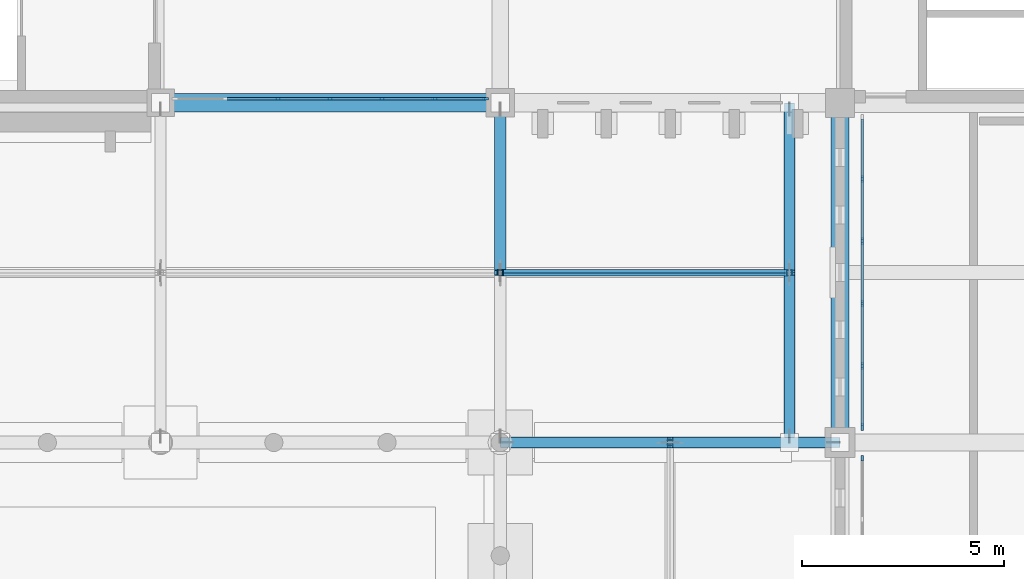
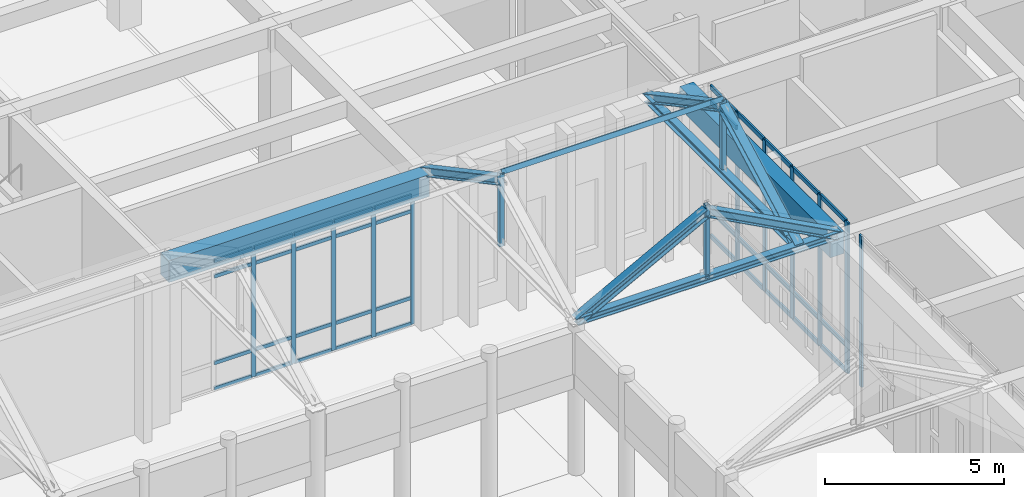
# One storey, part 65 of 143: 62 members, 2 beams, 3 elements without a shape of their own.
"""IFC4 building model written with IfcOpenShell, lengths in metres."""

from ifc_helpers import new_model, si_unit, direction, frame, origin, origin_2d, place, context, subcontext, project, spatial, rectangle, hollow_rectangle, i_section, extrude, material, layer, layer_set, material_profile, profile_set, type_object, element, aggregate, save


model = new_model("IFC4")

# Units and contexts
model_context = context("Model", 3, precision=1e-05, world=origin(), true_north=direction((0.0, 1.0)))
body_context = subcontext(model_context, "Body", "Model", "MODEL_VIEW")
ifc_project = project(units=[si_unit("LENGTHUNIT", "METRE"), si_unit("AREAUNIT", "SQUARE_METRE"), si_unit("VOLUMEUNIT", "CUBIC_METRE"), si_unit("PLANEANGLEUNIT", "RADIAN"), si_unit("MASSUNIT", "GRAM", prefix="KILO")], contexts=[model_context])

# Site, building, storey
site_placement = place(None, origin())
site = spatial("IfcSite", under=ifc_project, at=site_placement, CompositionType="ELEMENT")
building_placement = place(site_placement, origin())
building = spatial("IfcBuilding", under=site, at=building_placement, Name="Kveldsbrygga Polytechnic", CompositionType="ELEMENT")
storey_placement = place(building_placement, origin())
storey = spatial("IfcBuildingStorey", under=building, at=storey_placement, Name="L00", CompositionType="ELEMENT", Elevation=0.0)

# Beams
ifc_material_1 = material(Name="Concrete C35/45", Category="concrete")
ifc_material_profile_1 = material_profile(ifc_material_1, rectangle(XDim=0.449951171875, YDim=0.75, at=origin_2d()), Name="RC 450x750")
ifc_profile_set_1 = profile_set([ifc_material_profile_1], Name="Concrete C35/45")
beam_type_1 = type_object("IfcBeamType", Name="BM-RC-450x750", PredefinedType="BEAM", material=ifc_profile_set_1)
beam_1_placement = place(storey_placement, frame((126.0, 75.60009765625, 4.764892578125), z_axis=(0.0, 1.0, 0.0), x_axis=(-1.0, 0.0, 0.0)))
element("IfcBeam", 1, at=beam_1_placement, inside=storey, type_object=beam_type_1, Name="Primary Beam BMY-L00-15-09to10", PredefinedType="BEAM", context=body_context, shape_type="SweptSolid", body=[
    extrude(rectangle(XDim=0.449951171875, YDim=0.75, at=origin_2d()), origin(), (0.0, 0.0, 1.0), 8.39990234375),
])
ifc_material_profile_2 = material_profile(ifc_material_1, rectangle(XDim=0.4599609375, YDim=0.739990234375, at=origin_2d()), Name="RC 460x740")
ifc_profile_set_2 = profile_set([ifc_material_profile_2], Name="Concrete C35/45")
beam_type_2 = type_object("IfcBeamType", Name="BM-RC-460x740", PredefinedType="BEAM", material=ifc_profile_set_2)
beam_2_placement = place(storey_placement, frame((109.199951171875, 84.0, 4.77001953125), z_axis=(1.0, 0.0, 0.0), x_axis=(0.0, 1.0, 0.0)))
element("IfcBeam", 2, at=beam_2_placement, inside=storey, type_object=beam_type_2, Name="Primary Beam BMX-L00-13to14-10", PredefinedType="BEAM", context=body_context, shape_type="SweptSolid", body=[
    extrude(rectangle(XDim=0.4599609375, YDim=0.739990234375, at=origin_2d()), origin(), (0.0, 0.0, 1.0), 8.400146484375),
])

# Curtain wall, members
ifc_material_2 = material(Name="Anodised aluminium AW-6060", Category="aluminium")
ifc_layer_1 = layer(ifc_material_2, 0.179931640625)
ifc_layer_set_1 = layer_set([ifc_layer_1], Name="Anodised aluminium AW-6060")
curtain_wall_type_1 = type_object("IfcCurtainWallType", Name="CW-CONC-A", PredefinedType="USERDEFINED", material=ifc_layer_set_1)
curtain_wall_1_placement = place(storey_placement, origin())
curtain_wall_1 = element("IfcCurtainWall", 3, at=curtain_wall_1_placement, inside=storey, type_object=curtain_wall_type_1, Name="Curtain Wall CW-L00-X-13-10", ObjectType="UNITISED CURTAIN WALL", PredefinedType="USERDEFINED")
ifc_material_profile_3 = material_profile(ifc_material_2, rectangle(XDim=0.06005859375, YDim=0.139892578125, at=origin_2d()), Name="ALU 60x140")
ifc_profile_set_3 = profile_set([ifc_material_profile_3], Name="Anodised aluminium AW-6060")
member_type_1 = type_object("IfcMemberType", Name="CW-MUL-140", PredefinedType="MULLION", material=ifc_profile_set_3)
member_1_placement = place(storey_placement, frame((112.10498046875, 84.10009765625, 0.0), z_axis=(0.0, 0.0, 1.0), x_axis=(0.0, 1.0, 0.0)))
member_1 = element("IfcMember", 4, at=member_1_placement, type_object=member_type_1, Name="CW-01 mullion 3", PredefinedType="MULLION", context=body_context, shape_type="SweptSolid", body=[
    extrude(rectangle(XDim=0.06005859375, YDim=0.139892578125, at=origin_2d()), origin(), (0.0, 0.0, 1.0), 4.39990234375),
])
member_2_placement = place(storey_placement, frame((113.39501953125, 84.10009765625, 0.0), z_axis=(0.0, 0.0, 1.0), x_axis=(0.0, 1.0, 0.0)))
member_2 = element("IfcMember", 5, at=member_2_placement, type_object=member_type_1, Name="CW-01 mullion 4", PredefinedType="MULLION", context=body_context, shape_type="SweptSolid", body=[
    extrude(rectangle(XDim=0.06005859375, YDim=0.139892578125, at=origin_2d()), origin(), (0.0, 0.0, 1.0), 4.39990234375),
])
member_3_placement = place(storey_placement, frame((114.68505859375, 84.10009765625, 0.0), z_axis=(0.0, 0.0, 1.0), x_axis=(0.0, 1.0, 0.0)))
member_3 = element("IfcMember", 6, at=member_3_placement, type_object=member_type_1, Name="CW-01 mullion 5", PredefinedType="MULLION", context=body_context, shape_type="SweptSolid", body=[
    extrude(rectangle(XDim=0.06005859375, YDim=0.139892578125, at=origin_2d()), origin(), (0.0, 0.0, 1.0), 4.39990234375),
])
member_4_placement = place(storey_placement, frame((115.97509765625, 84.10009765625, 0.0), z_axis=(0.0, 0.0, 1.0), x_axis=(0.0, 1.0, 0.0)))
member_4 = element("IfcMember", 7, at=member_4_placement, type_object=member_type_1, Name="CW-01 mullion 6", PredefinedType="MULLION", context=body_context, shape_type="SweptSolid", body=[
    extrude(rectangle(XDim=0.06005859375, YDim=0.139892578125, at=origin_2d()), origin(), (0.0, 0.0, 1.0), 4.39990234375),
])
member_5_placement = place(storey_placement, frame((117.235107421875, 84.10009765625, 0.0), z_axis=(0.0, 0.0, 1.0), x_axis=(0.0, 1.0, 0.0)))
member_5 = element("IfcMember", 8, at=member_5_placement, type_object=member_type_1, Name="CW-01 mullion 7", PredefinedType="MULLION", context=body_context, shape_type="SweptSolid", body=[
    extrude(rectangle(XDim=0.06005859375, YDim=0.139892578125, at=origin_2d()), origin(), (0.0, 0.0, 1.0), 4.39990234375),
])

# Curtain wall, member
curtain_wall_2_placement = place(storey_placement, origin())
curtain_wall_2 = element("IfcCurtainWall", 9, at=curtain_wall_2_placement, inside=storey, type_object=curtain_wall_type_1, Name="Curtain Wall CW-L00-Y-15-08", ObjectType="UNITISED CURTAIN WALL", PredefinedType="USERDEFINED")
member_6_placement = place(storey_placement, frame((126.550048828125, 75.2099609375, 0.0), z_axis=(0.0, 0.0, 1.0), x_axis=(-1.0, 0.0, 0.0)))
member_6 = element("IfcMember", 10, at=member_6_placement, type_object=member_type_1, Name="CW-01 mullion 6", PredefinedType="MULLION", context=body_context, shape_type="SweptSolid", body=[
    extrude(rectangle(XDim=0.06005859375, YDim=0.139892578125, at=origin_2d()), origin(), (0.0, 0.0, 1.0), 5.139892578125),
])
aggregate(curtain_wall_2, [member_6])

# Curtain wall, members
ifc_layer_2 = layer(ifc_material_2, 0.199951171875)
ifc_layer_set_2 = layer_set([ifc_layer_2], Name="Anodised aluminium AW-6060")
curtain_wall_type_2 = type_object("IfcCurtainWallType", Name="CW-CONC-B", PredefinedType="USERDEFINED", material=ifc_layer_set_2)
curtain_wall_3_placement = place(storey_placement, origin())
curtain_wall_3 = element("IfcCurtainWall", 11, at=curtain_wall_3_placement, inside=storey, type_object=curtain_wall_type_2, Name="Curtain Wall CW-L00-Y-15-09", ObjectType="UNITISED CURTAIN WALL", PredefinedType="USERDEFINED")
ifc_material_profile_4 = material_profile(ifc_material_2, rectangle(XDim=0.06005859375, YDim=0.179931640625, at=origin_2d()), Name="ALU 60x180")
ifc_profile_set_4 = profile_set([ifc_material_profile_4], Name="Anodised aluminium AW-6060")
member_type_2 = type_object("IfcMemberType", Name="CW-MUL-180", PredefinedType="MULLION", material=ifc_profile_set_4)
member_7_placement = place(storey_placement, frame((126.550048828125, 75.989990234375, 0.0), z_axis=(0.0, 0.0, 1.0), x_axis=(-1.0, 0.0, 0.0)))
member_7 = element("IfcMember", 12, at=member_7_placement, type_object=member_type_2, Name="CW-02 mullion 1", PredefinedType="MULLION", context=body_context, shape_type="SweptSolid", body=[
    extrude(rectangle(XDim=0.06005859375, YDim=0.179931640625, at=origin_2d()), origin(), (0.0, 0.0, 1.0), 5.139892578125),
])
member_8_placement = place(storey_placement, frame((126.550048828125, 77.4990234375, 0.0), z_axis=(0.0, 0.0, 1.0), x_axis=(-1.0, 0.0, 0.0)))
member_8 = element("IfcMember", 13, at=member_8_placement, type_object=member_type_2, Name="CW-02 mullion 2", PredefinedType="MULLION", context=body_context, shape_type="SweptSolid", body=[
    extrude(rectangle(XDim=0.06005859375, YDim=0.179931640625, at=origin_2d()), origin(), (0.0, 0.0, 1.0), 5.139892578125),
])
member_9_placement = place(storey_placement, frame((126.550048828125, 79.0380859375, 0.0), z_axis=(0.0, 0.0, 1.0), x_axis=(-1.0, 0.0, 0.0)))
member_9 = element("IfcMember", 14, at=member_9_placement, type_object=member_type_2, Name="CW-02 mullion 3", PredefinedType="MULLION", context=body_context, shape_type="SweptSolid", body=[
    extrude(rectangle(XDim=0.06005859375, YDim=0.179931640625, at=origin_2d()), origin(), (0.0, 0.0, 1.0), 5.139892578125),
])
member_10_placement = place(storey_placement, frame((126.550048828125, 80.576904296875, 0.0), z_axis=(0.0, 0.0, 1.0), x_axis=(-1.0, 0.0, 0.0)))
member_10 = element("IfcMember", 15, at=member_10_placement, type_object=member_type_2, Name="CW-02 mullion 4", PredefinedType="MULLION", context=body_context, shape_type="SweptSolid", body=[
    extrude(rectangle(XDim=0.06005859375, YDim=0.179931640625, at=origin_2d()), origin(), (0.0, 0.0, 1.0), 5.139892578125),
])
member_11_placement = place(storey_placement, frame((126.550048828125, 82.115966796875, 0.0), z_axis=(0.0, 0.0, 1.0), x_axis=(-1.0, 0.0, 0.0)))
member_11 = element("IfcMember", 16, at=member_11_placement, type_object=member_type_2, Name="CW-02 mullion 5", PredefinedType="MULLION", context=body_context, shape_type="SweptSolid", body=[
    extrude(rectangle(XDim=0.06005859375, YDim=0.179931640625, at=origin_2d()), origin(), (0.0, 0.0, 1.0), 5.139892578125),
])

# Member
ifc_material_profile_5 = material_profile(ifc_material_2, rectangle(XDim=0.06005859375, YDim=0.1201171875, at=origin_2d()), Name="ALU 60x120")
ifc_profile_set_5 = profile_set([ifc_material_profile_5], Name="Anodised aluminium AW-6060")
member_type_3 = type_object("IfcMemberType", Name="CW-TRN-120", PredefinedType="USERDEFINED", material=ifc_profile_set_5)
member_12_placement = place(storey_placement, frame((110.844970703125, 84.10009765625, 0.030029296875), z_axis=(1.0, 0.0, 0.0), x_axis=(0.0, 1.0, 0.0)))
member_12 = element("IfcMember", 17, at=member_12_placement, type_object=member_type_3, Name="CW-01 transom 2.1", ObjectType="TRANSOM", PredefinedType="USERDEFINED", context=body_context, shape_type="SweptSolid", body=[
    extrude(rectangle(XDim=0.06005859375, YDim=0.1201171875, at=origin_2d()), origin(), (0.0, 0.0, 1.0), 1.22998046875),
])

member_13_placement = place(storey_placement, frame((110.844970703125, 84.10009765625, 0.89990234375), z_axis=(1.0, 0.0, 0.0), x_axis=(0.0, 1.0, 0.0)))
member_13 = element("IfcMember", 18, at=member_13_placement, type_object=member_type_3, Name="CW-01 transom 2.2", ObjectType="TRANSOM", PredefinedType="USERDEFINED", context=body_context, shape_type="SweptSolid", body=[
    extrude(rectangle(XDim=0.06005859375, YDim=0.1201171875, at=origin_2d()), origin(), (0.0, 0.0, 1.0), 1.22998046875),
])

member_14_placement = place(storey_placement, frame((110.844970703125, 84.10009765625, 3.85009765625), z_axis=(1.0, 0.0, 0.0), x_axis=(0.0, 1.0, 0.0)))
member_14 = element("IfcMember", 19, at=member_14_placement, type_object=member_type_3, Name="CW-01 transom 2.3", ObjectType="TRANSOM", PredefinedType="USERDEFINED", context=body_context, shape_type="SweptSolid", body=[
    extrude(rectangle(XDim=0.06005859375, YDim=0.1201171875, at=origin_2d()), origin(), (0.0, 0.0, 1.0), 1.22998046875),
])

member_15_placement = place(storey_placement, frame((110.844970703125, 84.10009765625, 4.3701171875), z_axis=(1.0, 0.0, 0.0), x_axis=(0.0, 1.0, 0.0)))
member_15 = element("IfcMember", 20, at=member_15_placement, type_object=member_type_3, Name="CW-01 transom 2.4", ObjectType="TRANSOM", PredefinedType="USERDEFINED", context=body_context, shape_type="SweptSolid", body=[
    extrude(rectangle(XDim=0.06005859375, YDim=0.1201171875, at=origin_2d()), origin(), (0.0, 0.0, 1.0), 1.22998046875),
])

member_16_placement = place(storey_placement, frame((112.135009765625, 84.10009765625, 0.030029296875), z_axis=(1.0, 0.0, 0.0), x_axis=(0.0, 1.0, 0.0)))
member_16 = element("IfcMember", 21, at=member_16_placement, type_object=member_type_3, Name="CW-01 transom 3.1", ObjectType="TRANSOM", PredefinedType="USERDEFINED", context=body_context, shape_type="SweptSolid", body=[
    extrude(rectangle(XDim=0.06005859375, YDim=0.1201171875, at=origin_2d()), origin(), (0.0, 0.0, 1.0), 1.22998046875),
])

member_17_placement = place(storey_placement, frame((112.135009765625, 84.10009765625, 0.89990234375), z_axis=(1.0, 0.0, 0.0), x_axis=(0.0, 1.0, 0.0)))
member_17 = element("IfcMember", 22, at=member_17_placement, type_object=member_type_3, Name="CW-01 transom 3.2", ObjectType="TRANSOM", PredefinedType="USERDEFINED", context=body_context, shape_type="SweptSolid", body=[
    extrude(rectangle(XDim=0.06005859375, YDim=0.1201171875, at=origin_2d()), origin(), (0.0, 0.0, 1.0), 1.22998046875),
])

member_18_placement = place(storey_placement, frame((112.135009765625, 84.10009765625, 3.85009765625), z_axis=(1.0, 0.0, 0.0), x_axis=(0.0, 1.0, 0.0)))
member_18 = element("IfcMember", 23, at=member_18_placement, type_object=member_type_3, Name="CW-01 transom 3.3", ObjectType="TRANSOM", PredefinedType="USERDEFINED", context=body_context, shape_type="SweptSolid", body=[
    extrude(rectangle(XDim=0.06005859375, YDim=0.1201171875, at=origin_2d()), origin(), (0.0, 0.0, 1.0), 1.22998046875),
])

member_19_placement = place(storey_placement, frame((112.135009765625, 84.10009765625, 4.3701171875), z_axis=(1.0, 0.0, 0.0), x_axis=(0.0, 1.0, 0.0)))
member_19 = element("IfcMember", 24, at=member_19_placement, type_object=member_type_3, Name="CW-01 transom 3.4", ObjectType="TRANSOM", PredefinedType="USERDEFINED", context=body_context, shape_type="SweptSolid", body=[
    extrude(rectangle(XDim=0.06005859375, YDim=0.1201171875, at=origin_2d()), origin(), (0.0, 0.0, 1.0), 1.22998046875),
])

member_20_placement = place(storey_placement, frame((113.425048828125, 84.10009765625, 0.030029296875), z_axis=(1.0, 0.0, 0.0), x_axis=(0.0, 1.0, 0.0)))
member_20 = element("IfcMember", 25, at=member_20_placement, type_object=member_type_3, Name="CW-01 transom 4.1", ObjectType="TRANSOM", PredefinedType="USERDEFINED", context=body_context, shape_type="SweptSolid", body=[
    extrude(rectangle(XDim=0.06005859375, YDim=0.1201171875, at=origin_2d()), origin(), (0.0, 0.0, 1.0), 1.22998046875),
])

member_21_placement = place(storey_placement, frame((113.425048828125, 84.10009765625, 0.89990234375), z_axis=(1.0, 0.0, 0.0), x_axis=(0.0, 1.0, 0.0)))
member_21 = element("IfcMember", 26, at=member_21_placement, type_object=member_type_3, Name="CW-01 transom 4.2", ObjectType="TRANSOM", PredefinedType="USERDEFINED", context=body_context, shape_type="SweptSolid", body=[
    extrude(rectangle(XDim=0.06005859375, YDim=0.1201171875, at=origin_2d()), origin(), (0.0, 0.0, 1.0), 1.22998046875),
])

member_22_placement = place(storey_placement, frame((113.425048828125, 84.10009765625, 3.85009765625), z_axis=(1.0, 0.0, 0.0), x_axis=(0.0, 1.0, 0.0)))
member_22 = element("IfcMember", 27, at=member_22_placement, type_object=member_type_3, Name="CW-01 transom 4.3", ObjectType="TRANSOM", PredefinedType="USERDEFINED", context=body_context, shape_type="SweptSolid", body=[
    extrude(rectangle(XDim=0.06005859375, YDim=0.1201171875, at=origin_2d()), origin(), (0.0, 0.0, 1.0), 1.22998046875),
])

member_23_placement = place(storey_placement, frame((113.425048828125, 84.10009765625, 4.3701171875), z_axis=(1.0, 0.0, 0.0), x_axis=(0.0, 1.0, 0.0)))
member_23 = element("IfcMember", 28, at=member_23_placement, type_object=member_type_3, Name="CW-01 transom 4.4", ObjectType="TRANSOM", PredefinedType="USERDEFINED", context=body_context, shape_type="SweptSolid", body=[
    extrude(rectangle(XDim=0.06005859375, YDim=0.1201171875, at=origin_2d()), origin(), (0.0, 0.0, 1.0), 1.22998046875),
])

member_24_placement = place(storey_placement, frame((114.715087890625, 84.10009765625, 0.030029296875), z_axis=(1.0, 0.0, 0.0), x_axis=(0.0, 1.0, 0.0)))
member_24 = element("IfcMember", 29, at=member_24_placement, type_object=member_type_3, Name="CW-01 transom 5.1", ObjectType="TRANSOM", PredefinedType="USERDEFINED", context=body_context, shape_type="SweptSolid", body=[
    extrude(rectangle(XDim=0.06005859375, YDim=0.1201171875, at=origin_2d()), origin(), (0.0, 0.0, 1.0), 1.22998046875),
])

member_25_placement = place(storey_placement, frame((114.715087890625, 84.10009765625, 0.89990234375), z_axis=(1.0, 0.0, 0.0), x_axis=(0.0, 1.0, 0.0)))
member_25 = element("IfcMember", 30, at=member_25_placement, type_object=member_type_3, Name="CW-01 transom 5.2", ObjectType="TRANSOM", PredefinedType="USERDEFINED", context=body_context, shape_type="SweptSolid", body=[
    extrude(rectangle(XDim=0.06005859375, YDim=0.1201171875, at=origin_2d()), origin(), (0.0, 0.0, 1.0), 1.22998046875),
])

member_26_placement = place(storey_placement, frame((114.715087890625, 84.10009765625, 3.85009765625), z_axis=(1.0, 0.0, 0.0), x_axis=(0.0, 1.0, 0.0)))
member_26 = element("IfcMember", 31, at=member_26_placement, type_object=member_type_3, Name="CW-01 transom 5.3", ObjectType="TRANSOM", PredefinedType="USERDEFINED", context=body_context, shape_type="SweptSolid", body=[
    extrude(rectangle(XDim=0.06005859375, YDim=0.1201171875, at=origin_2d()), origin(), (0.0, 0.0, 1.0), 1.22998046875),
])

member_27_placement = place(storey_placement, frame((114.715087890625, 84.10009765625, 4.3701171875), z_axis=(1.0, 0.0, 0.0), x_axis=(0.0, 1.0, 0.0)))
member_27 = element("IfcMember", 32, at=member_27_placement, type_object=member_type_3, Name="CW-01 transom 5.4", ObjectType="TRANSOM", PredefinedType="USERDEFINED", context=body_context, shape_type="SweptSolid", body=[
    extrude(rectangle(XDim=0.06005859375, YDim=0.1201171875, at=origin_2d()), origin(), (0.0, 0.0, 1.0), 1.22998046875),
])

member_28_placement = place(storey_placement, frame((116.0048828125, 84.10009765625, 0.030029296875), z_axis=(1.0, 0.0, 0.0), x_axis=(0.0, 1.0, 0.0)))
member_28 = element("IfcMember", 33, at=member_28_placement, type_object=member_type_3, Name="CW-01 transom 6.1", ObjectType="TRANSOM", PredefinedType="USERDEFINED", context=body_context, shape_type="SweptSolid", body=[
    extrude(rectangle(XDim=0.06005859375, YDim=0.1201171875, at=origin_2d()), origin(), (0.0, 0.0, 1.0), 1.2001953125),
])

member_29_placement = place(storey_placement, frame((116.0048828125, 84.10009765625, 0.89990234375), z_axis=(1.0, 0.0, 0.0), x_axis=(0.0, 1.0, 0.0)))
member_29 = element("IfcMember", 34, at=member_29_placement, type_object=member_type_3, Name="CW-01 transom 6.2", ObjectType="TRANSOM", PredefinedType="USERDEFINED", context=body_context, shape_type="SweptSolid", body=[
    extrude(rectangle(XDim=0.06005859375, YDim=0.1201171875, at=origin_2d()), origin(), (0.0, 0.0, 1.0), 1.2001953125),
])

member_30_placement = place(storey_placement, frame((116.0048828125, 84.10009765625, 3.85009765625), z_axis=(1.0, 0.0, 0.0), x_axis=(0.0, 1.0, 0.0)))
member_30 = element("IfcMember", 35, at=member_30_placement, type_object=member_type_3, Name="CW-01 transom 6.3", ObjectType="TRANSOM", PredefinedType="USERDEFINED", context=body_context, shape_type="SweptSolid", body=[
    extrude(rectangle(XDim=0.06005859375, YDim=0.1201171875, at=origin_2d()), origin(), (0.0, 0.0, 1.0), 1.2001953125),
])

member_31_placement = place(storey_placement, frame((116.0048828125, 84.10009765625, 4.3701171875), z_axis=(1.0, 0.0, 0.0), x_axis=(0.0, 1.0, 0.0)))
member_31 = element("IfcMember", 36, at=member_31_placement, type_object=member_type_3, Name="CW-01 transom 6.4", ObjectType="TRANSOM", PredefinedType="USERDEFINED", context=body_context, shape_type="SweptSolid", body=[
    extrude(rectangle(XDim=0.06005859375, YDim=0.1201171875, at=origin_2d()), origin(), (0.0, 0.0, 1.0), 1.2001953125),
])

aggregate(curtain_wall_1, [member_1, member_2, member_3, member_4, member_5, member_12, member_13, member_14, member_15, member_16, member_17, member_18, member_19, member_20, member_21, member_22, member_23, member_24, member_25, member_26, member_27, member_28, member_29, member_30, member_31])

ifc_material_profile_6 = material_profile(ifc_material_2, rectangle(XDim=0.06005859375, YDim=0.14990234375, at=origin_2d()), Name="ALU 60x150")
ifc_profile_set_6 = profile_set([ifc_material_profile_6], Name="Anodised aluminium AW-6060")
member_type_4 = type_object("IfcMemberType", Name="CW-TRN-150", PredefinedType="USERDEFINED", material=ifc_profile_set_6)
member_32_placement = place(storey_placement, frame((126.550048828125, 76.02001953125, 0.030029296875), z_axis=(0.0, 1.0, 0.0), x_axis=(-1.0, 0.0, 0.0)))
member_32 = element("IfcMember", 37, at=member_32_placement, type_object=member_type_4, Name="CW-02 transom 1.1", ObjectType="TRANSOM", PredefinedType="USERDEFINED", context=body_context, shape_type="SweptSolid", body=[
    extrude(rectangle(XDim=0.06005859375, YDim=0.14990234375, at=origin_2d()), origin(), (0.0, 0.0, 1.0), 1.448974609375),
])

member_33_placement = place(storey_placement, frame((126.550048828125, 76.02001953125, 0.89990234375), z_axis=(0.0, 1.0, 0.0), x_axis=(-1.0, 0.0, 0.0)))
member_33 = element("IfcMember", 38, at=member_33_placement, type_object=member_type_4, Name="CW-02 transom 1.2", ObjectType="TRANSOM", PredefinedType="USERDEFINED", context=body_context, shape_type="SweptSolid", body=[
    extrude(rectangle(XDim=0.06005859375, YDim=0.14990234375, at=origin_2d()), origin(), (0.0, 0.0, 1.0), 1.448974609375),
])

member_34_placement = place(storey_placement, frame((126.550048828125, 76.02001953125, 4.590087890625), z_axis=(0.0, 1.0, 0.0), x_axis=(-1.0, 0.0, 0.0)))
member_34 = element("IfcMember", 39, at=member_34_placement, type_object=member_type_4, Name="CW-02 transom 1.3", ObjectType="TRANSOM", PredefinedType="USERDEFINED", context=body_context, shape_type="SweptSolid", body=[
    extrude(rectangle(XDim=0.06005859375, YDim=0.14990234375, at=origin_2d()), origin(), (0.0, 0.0, 1.0), 1.448974609375),
])

member_35_placement = place(storey_placement, frame((126.550048828125, 76.02001953125, 5.110107421875), z_axis=(0.0, 1.0, 0.0), x_axis=(-1.0, 0.0, 0.0)))
member_35 = element("IfcMember", 40, at=member_35_placement, type_object=member_type_4, Name="CW-02 transom 1.4", ObjectType="TRANSOM", PredefinedType="USERDEFINED", context=body_context, shape_type="SweptSolid", body=[
    extrude(rectangle(XDim=0.06005859375, YDim=0.14990234375, at=origin_2d()), origin(), (0.0, 0.0, 1.0), 1.448974609375),
])

member_36_placement = place(storey_placement, frame((126.550048828125, 77.529052734375, 0.030029296875), z_axis=(0.0, 1.0, 0.0), x_axis=(-1.0, 0.0, 0.0)))
member_36 = element("IfcMember", 41, at=member_36_placement, type_object=member_type_4, Name="CW-02 transom 2.1", ObjectType="TRANSOM", PredefinedType="USERDEFINED", context=body_context, shape_type="SweptSolid", body=[
    extrude(rectangle(XDim=0.06005859375, YDim=0.14990234375, at=origin_2d()), origin(), (0.0, 0.0, 1.0), 1.47900390625),
])

member_37_placement = place(storey_placement, frame((126.550048828125, 77.529052734375, 0.89990234375), z_axis=(0.0, 1.0, 0.0), x_axis=(-1.0, 0.0, 0.0)))
member_37 = element("IfcMember", 42, at=member_37_placement, type_object=member_type_4, Name="CW-02 transom 2.2", ObjectType="TRANSOM", PredefinedType="USERDEFINED", context=body_context, shape_type="SweptSolid", body=[
    extrude(rectangle(XDim=0.06005859375, YDim=0.14990234375, at=origin_2d()), origin(), (0.0, 0.0, 1.0), 1.47900390625),
])

member_38_placement = place(storey_placement, frame((126.550048828125, 77.529052734375, 4.590087890625), z_axis=(0.0, 1.0, 0.0), x_axis=(-1.0, 0.0, 0.0)))
member_38 = element("IfcMember", 43, at=member_38_placement, type_object=member_type_4, Name="CW-02 transom 2.3", ObjectType="TRANSOM", PredefinedType="USERDEFINED", context=body_context, shape_type="SweptSolid", body=[
    extrude(rectangle(XDim=0.06005859375, YDim=0.14990234375, at=origin_2d()), origin(), (0.0, 0.0, 1.0), 1.47900390625),
])

member_39_placement = place(storey_placement, frame((126.550048828125, 77.529052734375, 5.110107421875), z_axis=(0.0, 1.0, 0.0), x_axis=(-1.0, 0.0, 0.0)))
member_39 = element("IfcMember", 44, at=member_39_placement, type_object=member_type_4, Name="CW-02 transom 2.4", ObjectType="TRANSOM", PredefinedType="USERDEFINED", context=body_context, shape_type="SweptSolid", body=[
    extrude(rectangle(XDim=0.06005859375, YDim=0.14990234375, at=origin_2d()), origin(), (0.0, 0.0, 1.0), 1.47900390625),
])

member_40_placement = place(storey_placement, frame((126.550048828125, 79.068115234375, 0.030029296875), z_axis=(0.0, 1.0, 0.0), x_axis=(-1.0, 0.0, 0.0)))
member_40 = element("IfcMember", 45, at=member_40_placement, type_object=member_type_4, Name="CW-02 transom 3.1", ObjectType="TRANSOM", PredefinedType="USERDEFINED", context=body_context, shape_type="SweptSolid", body=[
    extrude(rectangle(XDim=0.06005859375, YDim=0.14990234375, at=origin_2d()), origin(), (0.0, 0.0, 1.0), 1.47900390625),
])

member_41_placement = place(storey_placement, frame((126.550048828125, 79.068115234375, 0.89990234375), z_axis=(0.0, 1.0, 0.0), x_axis=(-1.0, 0.0, 0.0)))
member_41 = element("IfcMember", 46, at=member_41_placement, type_object=member_type_4, Name="CW-02 transom 3.2", ObjectType="TRANSOM", PredefinedType="USERDEFINED", context=body_context, shape_type="SweptSolid", body=[
    extrude(rectangle(XDim=0.06005859375, YDim=0.14990234375, at=origin_2d()), origin(), (0.0, 0.0, 1.0), 1.47900390625),
])

member_42_placement = place(storey_placement, frame((126.550048828125, 79.068115234375, 4.590087890625), z_axis=(0.0, 1.0, 0.0), x_axis=(-1.0, 0.0, 0.0)))
member_42 = element("IfcMember", 47, at=member_42_placement, type_object=member_type_4, Name="CW-02 transom 3.3", ObjectType="TRANSOM", PredefinedType="USERDEFINED", context=body_context, shape_type="SweptSolid", body=[
    extrude(rectangle(XDim=0.06005859375, YDim=0.14990234375, at=origin_2d()), origin(), (0.0, 0.0, 1.0), 1.47900390625),
])

member_43_placement = place(storey_placement, frame((126.550048828125, 79.068115234375, 5.110107421875), z_axis=(0.0, 1.0, 0.0), x_axis=(-1.0, 0.0, 0.0)))
member_43 = element("IfcMember", 48, at=member_43_placement, type_object=member_type_4, Name="CW-02 transom 3.4", ObjectType="TRANSOM", PredefinedType="USERDEFINED", context=body_context, shape_type="SweptSolid", body=[
    extrude(rectangle(XDim=0.06005859375, YDim=0.14990234375, at=origin_2d()), origin(), (0.0, 0.0, 1.0), 1.47900390625),
])

member_44_placement = place(storey_placement, frame((126.550048828125, 80.60693359375, 0.030029296875), z_axis=(0.0, 1.0, 0.0), x_axis=(-1.0, 0.0, 0.0)))
member_44 = element("IfcMember", 49, at=member_44_placement, type_object=member_type_4, Name="CW-02 transom 4.1", ObjectType="TRANSOM", PredefinedType="USERDEFINED", context=body_context, shape_type="SweptSolid", body=[
    extrude(rectangle(XDim=0.06005859375, YDim=0.14990234375, at=origin_2d()), origin(), (0.0, 0.0, 1.0), 1.47900390625),
])

member_45_placement = place(storey_placement, frame((126.550048828125, 80.60693359375, 0.89990234375), z_axis=(0.0, 1.0, 0.0), x_axis=(-1.0, 0.0, 0.0)))
member_45 = element("IfcMember", 50, at=member_45_placement, type_object=member_type_4, Name="CW-02 transom 4.2", ObjectType="TRANSOM", PredefinedType="USERDEFINED", context=body_context, shape_type="SweptSolid", body=[
    extrude(rectangle(XDim=0.06005859375, YDim=0.14990234375, at=origin_2d()), origin(), (0.0, 0.0, 1.0), 1.47900390625),
])

member_46_placement = place(storey_placement, frame((126.550048828125, 80.60693359375, 4.590087890625), z_axis=(0.0, 1.0, 0.0), x_axis=(-1.0, 0.0, 0.0)))
member_46 = element("IfcMember", 51, at=member_46_placement, type_object=member_type_4, Name="CW-02 transom 4.3", ObjectType="TRANSOM", PredefinedType="USERDEFINED", context=body_context, shape_type="SweptSolid", body=[
    extrude(rectangle(XDim=0.06005859375, YDim=0.14990234375, at=origin_2d()), origin(), (0.0, 0.0, 1.0), 1.47900390625),
])

member_47_placement = place(storey_placement, frame((126.550048828125, 80.60693359375, 5.110107421875), z_axis=(0.0, 1.0, 0.0), x_axis=(-1.0, 0.0, 0.0)))
member_47 = element("IfcMember", 52, at=member_47_placement, type_object=member_type_4, Name="CW-02 transom 4.4", ObjectType="TRANSOM", PredefinedType="USERDEFINED", context=body_context, shape_type="SweptSolid", body=[
    extrude(rectangle(XDim=0.06005859375, YDim=0.14990234375, at=origin_2d()), origin(), (0.0, 0.0, 1.0), 1.47900390625),
])

member_48_placement = place(storey_placement, frame((126.550048828125, 82.14599609375, 0.030029296875), z_axis=(0.0, 1.0, 0.0), x_axis=(-1.0, 0.0, 0.0)))
member_48 = element("IfcMember", 53, at=member_48_placement, type_object=member_type_4, Name="CW-02 transom 5.1", ObjectType="TRANSOM", PredefinedType="USERDEFINED", context=body_context, shape_type="SweptSolid", body=[
    extrude(rectangle(XDim=0.06005859375, YDim=0.14990234375, at=origin_2d()), origin(), (0.0, 0.0, 1.0), 1.448974609375),
])

member_49_placement = place(storey_placement, frame((126.550048828125, 82.14599609375, 0.89990234375), z_axis=(0.0, 1.0, 0.0), x_axis=(-1.0, 0.0, 0.0)))
member_49 = element("IfcMember", 54, at=member_49_placement, type_object=member_type_4, Name="CW-02 transom 5.2", ObjectType="TRANSOM", PredefinedType="USERDEFINED", context=body_context, shape_type="SweptSolid", body=[
    extrude(rectangle(XDim=0.06005859375, YDim=0.14990234375, at=origin_2d()), origin(), (0.0, 0.0, 1.0), 1.448974609375),
])

member_50_placement = place(storey_placement, frame((126.550048828125, 82.14599609375, 4.590087890625), z_axis=(0.0, 1.0, 0.0), x_axis=(-1.0, 0.0, 0.0)))
member_50 = element("IfcMember", 55, at=member_50_placement, type_object=member_type_4, Name="CW-02 transom 5.3", ObjectType="TRANSOM", PredefinedType="USERDEFINED", context=body_context, shape_type="SweptSolid", body=[
    extrude(rectangle(XDim=0.06005859375, YDim=0.14990234375, at=origin_2d()), origin(), (0.0, 0.0, 1.0), 1.448974609375),
])

member_51_placement = place(storey_placement, frame((126.550048828125, 82.14599609375, 5.110107421875), z_axis=(0.0, 1.0, 0.0), x_axis=(-1.0, 0.0, 0.0)))
member_51 = element("IfcMember", 56, at=member_51_placement, type_object=member_type_4, Name="CW-02 transom 5.4", ObjectType="TRANSOM", PredefinedType="USERDEFINED", context=body_context, shape_type="SweptSolid", body=[
    extrude(rectangle(XDim=0.06005859375, YDim=0.14990234375, at=origin_2d()), origin(), (0.0, 0.0, 1.0), 1.448974609375),
])

aggregate(curtain_wall_3, [member_7, member_8, member_9, member_10, member_11, member_32, member_33, member_34, member_35, member_36, member_37, member_38, member_39, member_40, member_41, member_42, member_43, member_44, member_45, member_46, member_47, member_48, member_49, member_50, member_51])

# Members
ifc_material_3 = material(Name="Steel S355", Category="steel")
ifc_material_profile_7 = material_profile(ifc_material_3, hollow_rectangle(XDim=0.10009765625, YDim=0.14990234375, WallThickness=0.008056640625, at=origin_2d()), Name="RHS 150x100x8.0")
ifc_profile_set_7 = profile_set([ifc_material_profile_7], Name="Steel S355")
member_type_5 = type_object("IfcMemberType", Name="PRL-RHS150", PredefinedType="PURLIN", material=ifc_profile_set_7)
member_52_placement = place(storey_placement, frame((117.60009765625, 79.800048828125, 7.6337890625), z_axis=(1.0, 0.0, 0.0), x_axis=(0.0, 0.881479888517, -0.472221564671)))
element("IfcMember", 57, at=member_52_placement, inside=storey, type_object=member_type_5, Name="Roof Purlin ARC-EN-PRL-6-1", PredefinedType="PURLIN", context=body_context, shape_type="SweptSolid", body=[
    extrude(hollow_rectangle(XDim=0.10009765625, YDim=0.14990234375, WallThickness=0.008056640625, at=origin_2d()), origin(), (0.0, 0.0, 1.0), 7.14990234375),
])
ifc_material_profile_8 = material_profile(ifc_material_3, i_section(OverallWidth=0.239990234375, OverallDepth=0.239990234375, WebThickness=0.010009765625, FlangeThickness=0.01708984375, FilletRadius=0.02099609375, at=origin_2d()), Name="HEB 240")
ifc_profile_set_8 = profile_set([ifc_material_profile_8], Name="Steel S355")
member_type_6 = type_object("IfcMemberType", Name="TR-BOT-HEB240", PredefinedType="CHORD", material=ifc_profile_set_8)
for number, where, z_axis, x_axis, name in (
    (58, (124.75, 75.60009765625, 5.139892578125), (0.0, 1.0, 0.0), (-1.0, 0.0, 0.0), "Truss Bottom Chord ARC-EN-T07-BC-1"),
    (59, (117.60009765625, 75.60009765625, 5.139892578125), (1.0, 0.0, 0.0), (0.0, 1.0, 0.0), "Truss Bottom Chord ARC-EE-T06-BC-1"),
):
    element("IfcMember", number, at=place(storey_placement, frame(where, z_axis=z_axis, x_axis=x_axis)), inside=storey, type_object=member_type_6, Name=name, PredefinedType="CHORD", context=body_context, shape_type="SweptSolid", body=[
        extrude(i_section(OverallWidth=0.239990234375, OverallDepth=0.239990234375, WebThickness=0.010009765625, FlangeThickness=0.01708984375, FilletRadius=0.02099609375, at=origin_2d()), origin(), (0.0, 0.0, 1.0), 8.39990234375),
    ])
ifc_material_profile_9 = material_profile(ifc_material_3, hollow_rectangle(XDim=0.139892578125, YDim=0.139892578125, WallThickness=0.008056640625, at=origin_2d()), Name="SHS 140x140x8.0")
ifc_profile_set_9 = profile_set([ifc_material_profile_9], Name="Steel S355")
member_type_7 = type_object("IfcMemberType", Name="TR-POST-SHS140", PredefinedType="STRUT", material=ifc_profile_set_9)
for number, where, z_axis, x_axis, name in (
    (60, (117.60009765625, 79.800048828125, 5.139892578125), (0.0, 0.0, 1.0), (1.0, 0.0, 0.0), "Truss Vertical ARC-EN-T06-VT-1"),
    (61, (124.75, 79.800048828125, 5.139892578125), (0.0, 0.0, 1.0), (1.0, 0.0, 0.0), "Truss Vertical ARC-EN-T07-VT-1"),
    (62, (121.800048828125, 75.60009765625, 5.139892578125), (0.0, 0.0, 1.0), (1.0, 0.0, 0.0), "Truss Vertical ARC-EE-T06-VT-1"),
):
    element("IfcMember", number, at=place(storey_placement, frame(where, z_axis=z_axis, x_axis=x_axis)), inside=storey, type_object=member_type_7, Name=name, PredefinedType="STRUT", context=body_context, shape_type="SweptSolid", body=[
        extrude(hollow_rectangle(XDim=0.139892578125, YDim=0.139892578125, WallThickness=0.008056640625, at=origin_2d()), origin(), (0.0, 0.0, 1.0), 2.493896484375),
    ])
ifc_material_profile_10 = material_profile(ifc_material_3, i_section(OverallWidth=0.280029296875, OverallDepth=0.280029296875, WebThickness=0.010498046875, FlangeThickness=0.01806640625, FilletRadius=0.02392578125, at=origin_2d()), Name="HEB 280")
ifc_profile_set_10 = profile_set([ifc_material_profile_10], Name="Steel S355")
member_type_8 = type_object("IfcMemberType", Name="TR-TOP-HEB280", PredefinedType="CHORD", material=ifc_profile_set_10)
for number, where, z_axis, x_axis, name in (
    (63, (117.60009765625, 79.800048828125, 7.389892578125), (0.0, 0.881477684796, -0.472225678258), (-1.0, 0.0, 0.0), "Truss Top Chord ARC-EN-T06-TC-2"),
    (64, (124.75, 75.60009765625, 5.139892578125), (0.0, 0.881477684796, 0.472225678258), (-1.0, 0.0, 0.0), "Truss Top Chord ARC-EN-T07-TC-1"),
    (65, (124.75, 79.800048828125, 7.389892578125), (0.0, 0.881477684796, -0.472225678258), (-1.0, 0.0, 0.0), "Truss Top Chord ARC-EN-T07-TC-2"),
    (66, (117.60009765625, 75.60009765625, 5.139892578125), (0.881477684796, 0.0, 0.472225678258), (0.0, 1.0, 0.0), "Truss Top Chord ARC-EE-T06-TC-1"),
    (67, (121.800048828125, 75.60009765625, 7.389892578125), (0.881477684796, 0.0, -0.472225678258), (0.0, 1.0, 0.0), "Truss Top Chord ARC-EE-T06-TC-2"),
):
    element("IfcMember", number, at=place(storey_placement, frame(where, z_axis=z_axis, x_axis=x_axis)), inside=storey, type_object=member_type_8, Name=name, PredefinedType="CHORD", context=body_context, shape_type="SweptSolid", body=[
        extrude(i_section(OverallWidth=0.280029296875, OverallDepth=0.280029296875, WebThickness=0.010498046875, FlangeThickness=0.01806640625, FilletRadius=0.02392578125, at=origin_2d()), origin(), (0.0, 0.0, 1.0), 4.7646484375),
    ])

save(model, "model.ifc")
